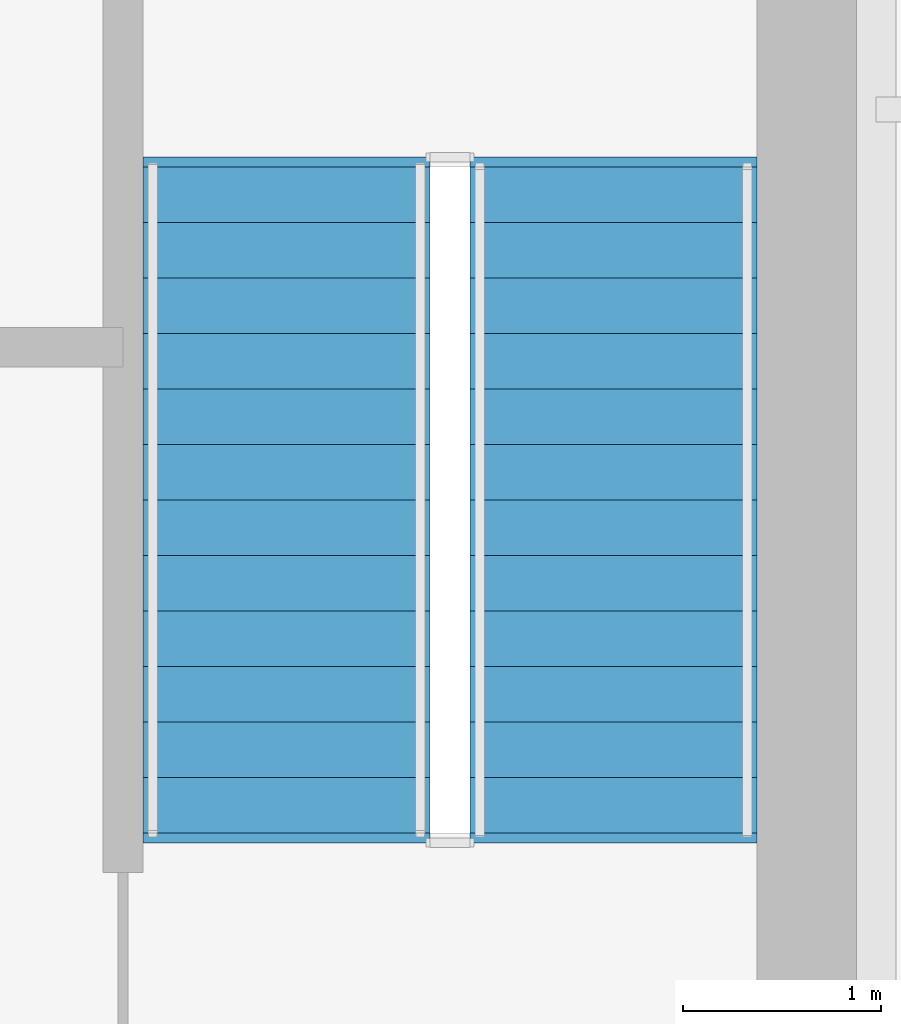
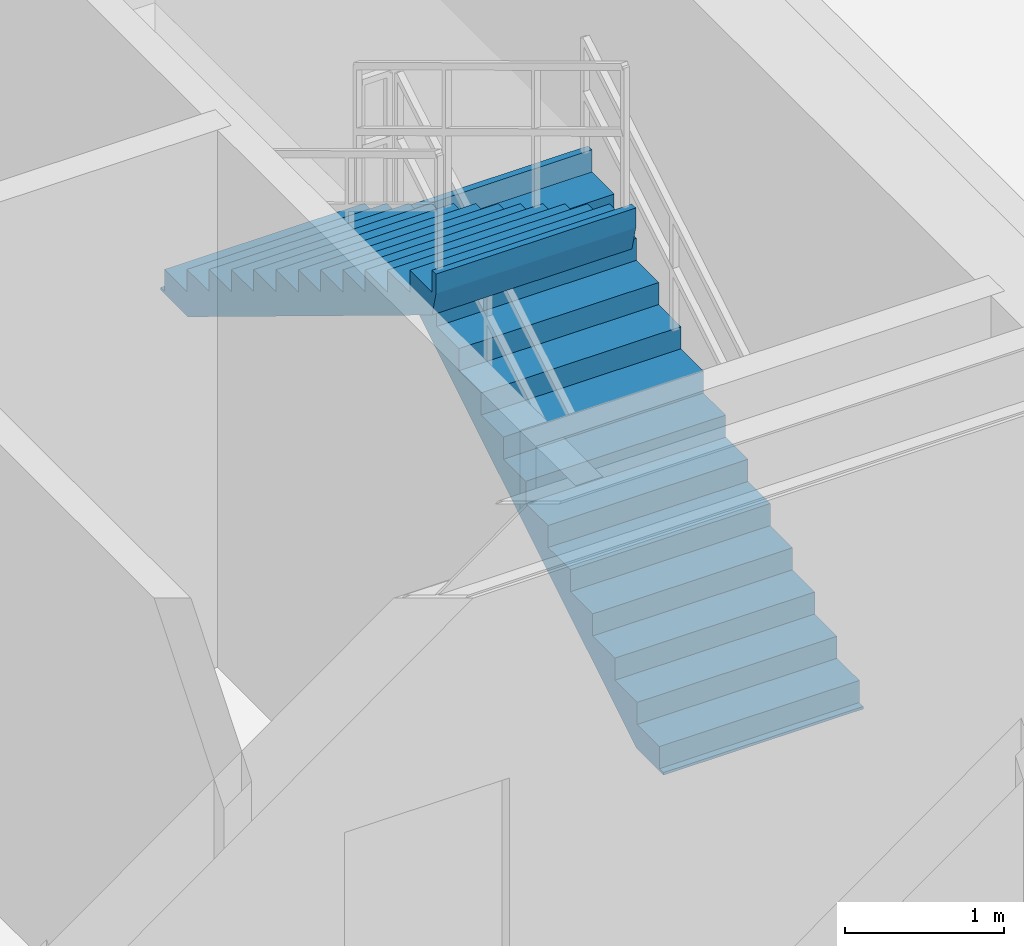
# One storey, part 32 of 38: 2 stair flights, 1 element without a shape of its own.
"""IFC4 building model written with IfcOpenShell, lengths in metres."""

from ifc_helpers import new_model, si_unit, direction, frame, origin, place, context, subcontext, project, spatial, polyline, outline, extrude, source, transform, mapped, material, type_object, element, aggregate, save


model = new_model("IFC4")

# Units and contexts
model_context = context("Model", 3, precision=1e-05, world=origin(), true_north=direction((0.0, 1.0)))
body_context = subcontext(model_context, "Body", "Model", "MODEL_VIEW")
ifc_project = project(units=[si_unit("LENGTHUNIT", "METRE"), si_unit("AREAUNIT", "SQUARE_METRE"), si_unit("VOLUMEUNIT", "CUBIC_METRE"), si_unit("PLANEANGLEUNIT", "RADIAN"), si_unit("MASSUNIT", "GRAM", prefix="KILO")], contexts=[model_context])

# Site, building, storey
site_placement = place(None, origin())
site = spatial("IfcSite", under=ifc_project, at=site_placement, CompositionType="ELEMENT")
building_placement = place(site_placement, origin())
building = spatial("IfcBuilding", under=site, at=building_placement, Name="Trelvane Seafront Commons", CompositionType="ELEMENT")
storey_placement = place(building_placement, frame((0.0, 0.0, 299.10009765625)))
storey = spatial("IfcBuildingStorey", under=building, at=storey_placement, Name="L78", CompositionType="ELEMENT", Elevation=299.10009765625)

# Stair, stair flights
ifc_material = material(Name="Concrete C40/50", Category="concrete")
stair_type = type_object("IfcStairType", Name="ARCH-STR-ST-2-R26-169", PredefinedType="HALF_TURN_STAIR", material=ifc_material)
stair_placement = place(storey_placement, origin())
stair = element("IfcStair", 1, at=stair_placement, inside=storey, type_object=stair_type, Name="L78 East Protected Firefighting Exit Stair ST-2", PredefinedType="HALF_TURN_STAIR")
stair_flight_type = type_object("IfcStairFlightType", Name="ARCH-FLG-ST-2-R26-169", PredefinedType="STRAIGHT", material=ifc_material)
shared_shape = source(origin(), body_context, "Body", "SweptSolid", [
    extrude(outline(polyline([(-0.050048828125, -0.02001953125), (-0.050048828125, 0.0), (0.0, 0.0), (0.0, 0.169189453125), (0.280029296875, 0.169189453125), (0.280029296875, 0.33837890625), (0.56005859375, 0.33837890625), (0.56005859375, 0.5078125), (0.840087890625, 0.5078125), (0.840087890625, 0.677001953125), (1.1201171875, 0.677001953125), (1.1201171875, 0.84619140625), (1.39990234375, 0.84619140625), (1.39990234375, 1.015380859375), (1.679931640625, 1.015380859375), (1.679931640625, 1.1845703125), (1.9599609375, 1.1845703125), (1.9599609375, 1.353759765625), (2.239990234375, 1.353759765625), (2.239990234375, 1.523193359375), (2.52001953125, 1.523193359375), (2.52001953125, 1.6923828125), (2.800048828125, 1.6923828125), (2.800048828125, 1.861572265625), (3.080078125, 1.861572265625), (3.080078125, 2.03076171875), (3.360107421875, 2.03076171875), (3.360107421875, 2.199951171875), (3.409912109375, 2.199951171875), (3.409912109375, 2.050048828125), (3.360107421875, 1.855712890625), (0.289794921875, -0.02001953125), (-0.050048828125, -0.02001953125)])), frame((0.0, 0.72509765625, 0.0), z_axis=(0.0, -1.0, 0.0), x_axis=(1.0, 0.0, 0.0)), (0.0, 0.0, 1.0), 1.449951171875),
])
stair_flight_1_placement = place(storey_placement, frame((57.47509765625, 35.550048828125, 0.0), z_axis=(0.0, 0.0, 1.0), x_axis=(0.0, 1.0, 0.0)))
stair_flight_1 = element("IfcStairFlight", 2, at=stair_flight_1_placement, type_object=stair_flight_type, Name="ST-2 flight 1", NumberOfRisers=13, NumberOfTreads=12, PredefinedType="STRAIGHT", RiserHeight=0.169230769, TreadLength=0.28, context=body_context, shape_type="MappedRepresentation", body=[
    mapped(shared_shape, transform((0.0, 0.0, 0.0), x_axis=(1.0, 0.0, 0.0), y_axis=(0.0, 1.0, 0.0), z_axis=(0.0, 0.0, 1.0), scale=1.0)),
])
stair_flight_2_placement = place(storey_placement, frame((55.824951171875, 38.909912109375, 2.199951171875), z_axis=(0.0, 0.0, 1.0), x_axis=(0.0, -1.0, 0.0)))
stair_flight_2 = element("IfcStairFlight", 3, at=stair_flight_2_placement, type_object=stair_flight_type, Name="ST-2 flight 2", NumberOfRisers=13, NumberOfTreads=12, PredefinedType="STRAIGHT", RiserHeight=0.169230769, TreadLength=0.28, context=body_context, shape_type="MappedRepresentation", body=[
    mapped(shared_shape, transform((0.0, 0.0, 0.0), x_axis=(1.0, 0.0, 0.0), y_axis=(0.0, 1.0, 0.0), z_axis=(0.0, 0.0, 1.0), scale=1.0)),
])
aggregate(stair, [stair_flight_1, stair_flight_2])

save(model, "model.ifc")
